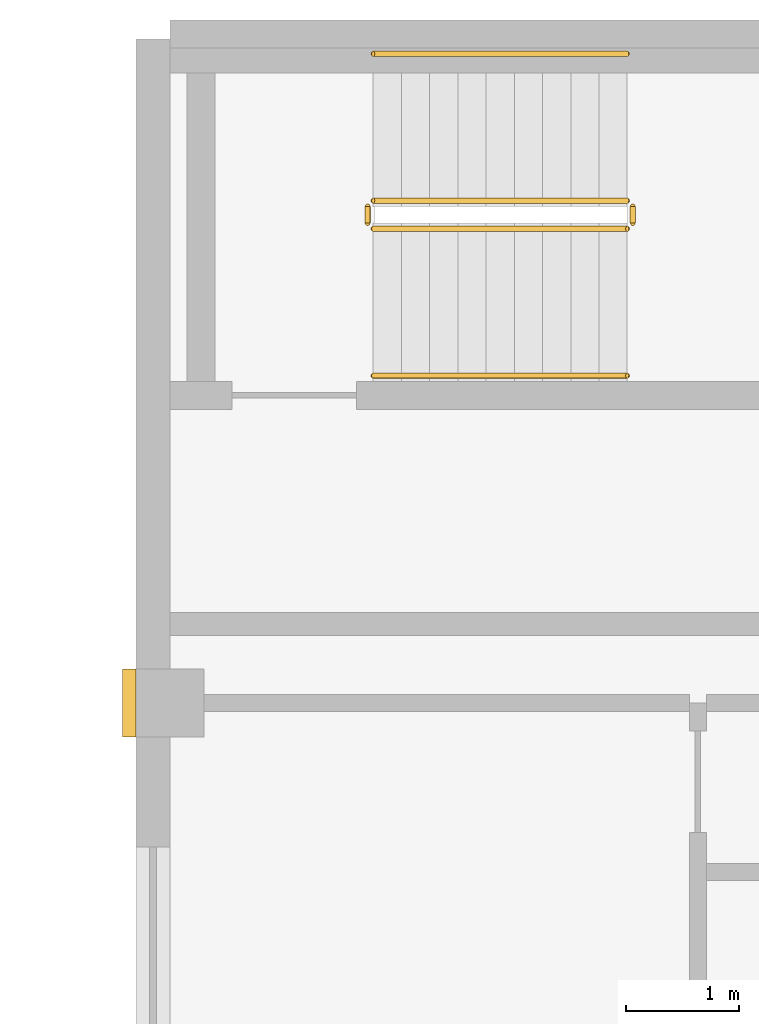
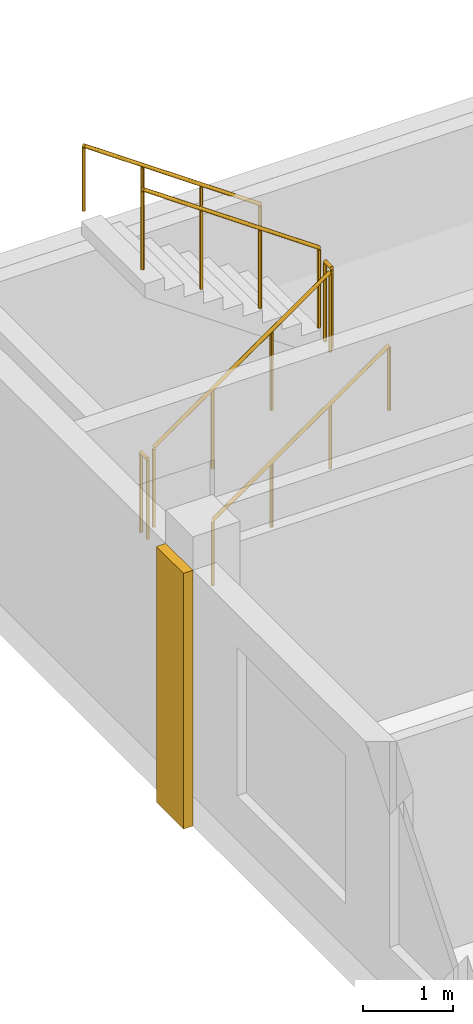
# One storey, part 10 of 10: 6 railings, 1 covering.
"""IFC4 building model written with IfcOpenShell, lengths in metres."""

from ifc_helpers import new_model, si_unit, direction, frame, origin, origin_2d, place, context, subcontext, project, spatial, rectangle, circle, extrude, source, transform, mapped, material, type_object, element, save


model = new_model("IFC4")

# Units and contexts
model_context = context("Model", 3, precision=1e-05, world=origin(), true_north=direction((0.0, 1.0)))
body_context = subcontext(model_context, "Body", "Model", "MODEL_VIEW")
ifc_project = project(units=[si_unit("LENGTHUNIT", "METRE"), si_unit("AREAUNIT", "SQUARE_METRE"), si_unit("VOLUMEUNIT", "CUBIC_METRE"), si_unit("PLANEANGLEUNIT", "RADIAN"), si_unit("MASSUNIT", "GRAM", prefix="KILO")], contexts=[model_context])

# Site, building, storey
site_placement = place(None, origin())
site = spatial("IfcSite", under=ifc_project, at=site_placement, CompositionType="ELEMENT")
building_placement = place(site_placement, origin())
building = spatial("IfcBuilding", under=site, at=building_placement, Name="Aurelian Terraces", CompositionType="ELEMENT")
storey_placement = place(building_placement, frame((0.0, 0.0, 365.0)))
storey = spatial("IfcBuildingStorey", under=building, at=storey_placement, Name="L87", CompositionType="ELEMENT", Elevation=365.0)

# Covering
ifc_material_1 = material(Name="Terracotta rainscreen cladding relief", Category="masonry")
covering_type = type_object("IfcCoveringType", Name="BAGUETTE-TC", PredefinedType="CLADDING", material=ifc_material_1)
shared_shape_1 = source(origin(), body_context, "Body", "SweptSolid", [
    extrude(rectangle(XDim=0.12, YDim=0.6, at=origin_2d()), origin(), (0.0, 0.0, 1.0), 3.45),
])
covering_placement = place(storey_placement, frame((10.44, 37.8, -0.4), z_axis=(0.0, 0.0, 1.0), x_axis=(1.0, 0.0, 0.0)))
element("IfcCovering", 1, at=covering_placement, inside=storey, type_object=covering_type, Name="BAGUETTE pier L87 7", PredefinedType="CLADDING", context=body_context, shape_type="MappedRepresentation", body=[
    mapped(shared_shape_1, transform((0.0, 0.0, 0.0), scale=1.0)),
])

# Railings
ifc_material_2 = material(Name="Stainless steel", Category="steel")
railing_type_1 = type_object("IfcRailingType", Name="Stair guard 1100", PredefinedType="GUARDRAIL", material=ifc_material_2)
shared_shape_2 = source(origin(), body_context, "Body", "SweptSolid", [
    extrude(circle(Radius=0.024, at=origin_2d()), frame((0.0, 0.0, 1.076), z_axis=(0.0, 1.0, 0.0), x_axis=(-1.0, 0.0, 0.0)), (0.0, 0.0, 1.0), 0.15),
    extrude(circle(Radius=0.021, at=origin_2d()), origin(), (0.0, 0.0, 1.0), 1.052),
    extrude(circle(Radius=0.021, at=origin_2d()), frame((0.0, 0.15, 0.0)), (0.0, 0.0, 1.0), 1.052),
])
for number, where, name in (
    (2, (14.9, 42.05, 1.75), "L87 S3U stair guard 2"),
    (3, (12.55, 42.05, 0.0), "L87 S3U stair guard 4"),
):
    element("IfcRailing", number, at=place(storey_placement, frame(where)), inside=storey, type_object=railing_type_1, Name=name, PredefinedType="GUARDRAIL", context=body_context, shape_type="MappedRepresentation", body=[
        mapped(shared_shape_2, transform((0.0, 0.0, 0.0), scale=1.0)),
    ])
shared_shape_3 = source(origin(), body_context, "Body", "SweptSolid", [
    extrude(circle(Radius=0.024, at=origin_2d()), frame((0.0, 0.0, 1.076), z_axis=(0.819231920519, 0.0, 0.573462344363), x_axis=(0.0, 1.0, 0.0)), (0.0, 0.0, 1.0), 2.7465),
    extrude(circle(Radius=0.021, at=origin_2d()), origin(), (0.0, 0.0, 1.0), 1.052),
    extrude(circle(Radius=0.021, at=origin_2d()), frame((0.75, 0.0, 0.525)), (0.0, 0.0, 1.0), 1.052),
    extrude(circle(Radius=0.021, at=origin_2d()), frame((1.5, 0.0, 1.05)), (0.0, 0.0, 1.0), 1.052),
    extrude(circle(Radius=0.021, at=origin_2d()), frame((2.25, 0.0, 1.575)), (0.0, 0.0, 1.0), 1.052),
])
railing_1_placement = place(storey_placement, frame((12.6, 42.0, 0.175)))
element("IfcRailing", 4, at=railing_1_placement, inside=storey, type_object=railing_type_1, Name="L87 S3U stair guard 1", PredefinedType="GUARDRAIL", context=body_context, shape_type="MappedRepresentation", body=[
    mapped(shared_shape_3, transform((0.0, 0.0, 0.0), scale=1.0)),
])
shared_shape_4 = source(origin(), body_context, "Body", "SweptSolid", [
    extrude(circle(Radius=0.024, at=origin_2d()), frame((0.0, 0.0, 1.076), z_axis=(-0.819231920519, 0.0, 0.573462344363), x_axis=(0.0, -1.0, 0.0)), (0.0, 0.0, 1.0), 2.7465),
    extrude(circle(Radius=0.021, at=origin_2d()), origin(), (0.0, 0.0, 1.0), 1.052),
    extrude(circle(Radius=0.021, at=origin_2d()), frame((-0.75, 0.0, 0.525)), (0.0, 0.0, 1.0), 1.052),
    extrude(circle(Radius=0.021, at=origin_2d()), frame((-1.5, 0.0, 1.05)), (0.0, 0.0, 1.0), 1.052),
    extrude(circle(Radius=0.021, at=origin_2d()), frame((-2.25, 0.0, 1.575)), (0.0, 0.0, 1.0), 1.052),
])
railing_2_placement = place(storey_placement, frame((14.85, 42.25, 1.925)))
element("IfcRailing", 5, at=railing_2_placement, inside=storey, type_object=railing_type_1, Name="L87 S3U stair guard 3", PredefinedType="GUARDRAIL", context=body_context, shape_type="MappedRepresentation", body=[
    mapped(shared_shape_4, transform((0.0, 0.0, 0.0), scale=1.0)),
])
railing_type_2 = type_object("IfcRailingType", Name="Stair handrail", PredefinedType="HANDRAIL", material=ifc_material_2)
shared_shape_5 = source(origin(), body_context, "Body", "SweptSolid", [
    extrude(circle(Radius=0.024, at=origin_2d()), frame((0.0, 0.0, 0.876), z_axis=(0.819231920519, 0.0, 0.573462344363), x_axis=(0.0, 1.0, 0.0)), (0.0, 0.0, 1.0), 2.7465),
    extrude(circle(Radius=0.021, at=origin_2d()), origin(), (0.0, 0.0, 1.0), 0.852),
    extrude(circle(Radius=0.021, at=origin_2d()), frame((0.75, 0.0, 0.525)), (0.0, 0.0, 1.0), 0.852),
    extrude(circle(Radius=0.021, at=origin_2d()), frame((1.5, 0.0, 1.05)), (0.0, 0.0, 1.0), 0.852),
    extrude(circle(Radius=0.021, at=origin_2d()), frame((2.25, 0.0, 1.575)), (0.0, 0.0, 1.0), 0.852),
])
railing_3_placement = place(storey_placement, frame((12.6, 40.7, 0.175)))
element("IfcRailing", 6, at=railing_3_placement, inside=storey, type_object=railing_type_2, Name="L87 S3U stair handrail 1", PredefinedType="HANDRAIL", context=body_context, shape_type="MappedRepresentation", body=[
    mapped(shared_shape_5, transform((0.0, 0.0, 0.0), scale=1.0)),
])
shared_shape_6 = source(origin(), body_context, "Body", "SweptSolid", [
    extrude(circle(Radius=0.024, at=origin_2d()), frame((0.0, 0.0, 0.876), z_axis=(-0.819231920519, 0.0, 0.573462344363), x_axis=(0.0, -1.0, 0.0)), (0.0, 0.0, 1.0), 2.7465),
    extrude(circle(Radius=0.021, at=origin_2d()), origin(), (0.0, 0.0, 1.0), 0.852),
    extrude(circle(Radius=0.021, at=origin_2d()), frame((-0.75, 0.0, 0.525)), (0.0, 0.0, 1.0), 0.852),
    extrude(circle(Radius=0.021, at=origin_2d()), frame((-1.5, 0.0, 1.05)), (0.0, 0.0, 1.0), 0.852),
    extrude(circle(Radius=0.021, at=origin_2d()), frame((-2.25, 0.0, 1.575)), (0.0, 0.0, 1.0), 0.852),
])
railing_4_placement = place(storey_placement, frame((14.85, 43.55, 1.925)))
element("IfcRailing", 7, at=railing_4_placement, inside=storey, type_object=railing_type_2, Name="L87 S3U stair handrail 2", PredefinedType="HANDRAIL", context=body_context, shape_type="MappedRepresentation", body=[
    mapped(shared_shape_6, transform((0.0, 0.0, 0.0), scale=1.0)),
])

save(model, "model.ifc")
